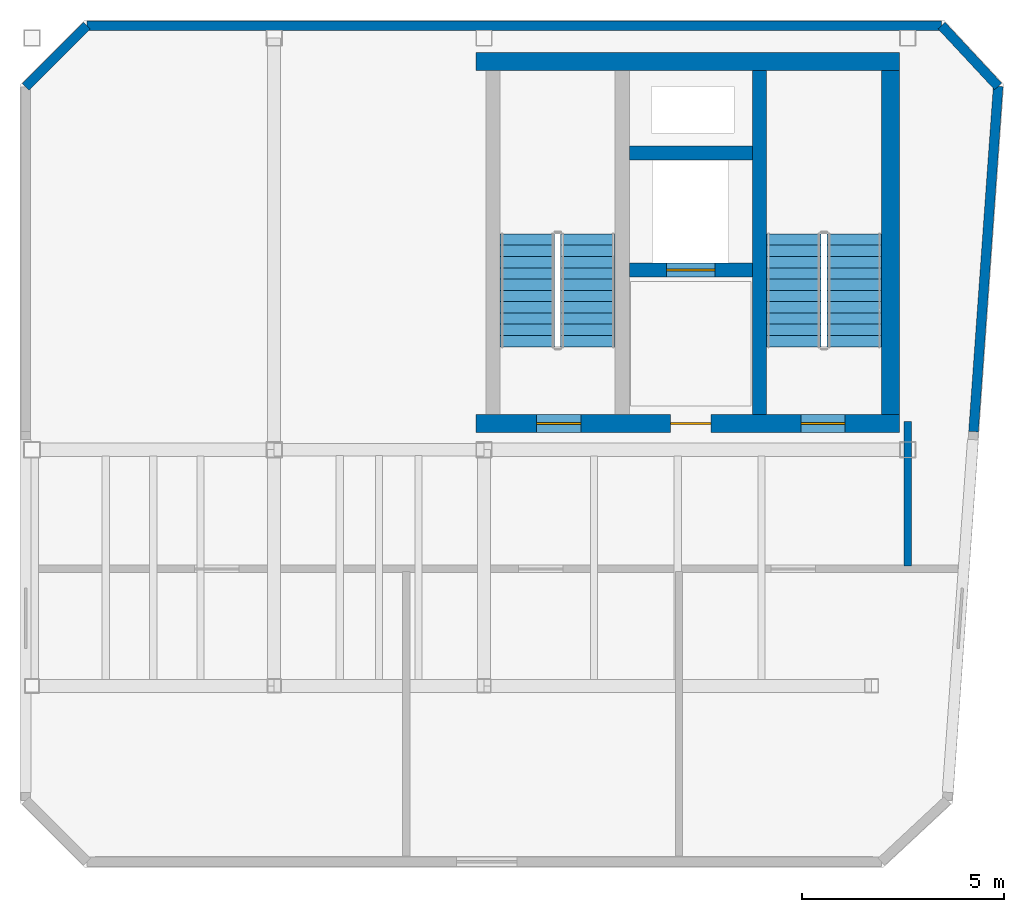
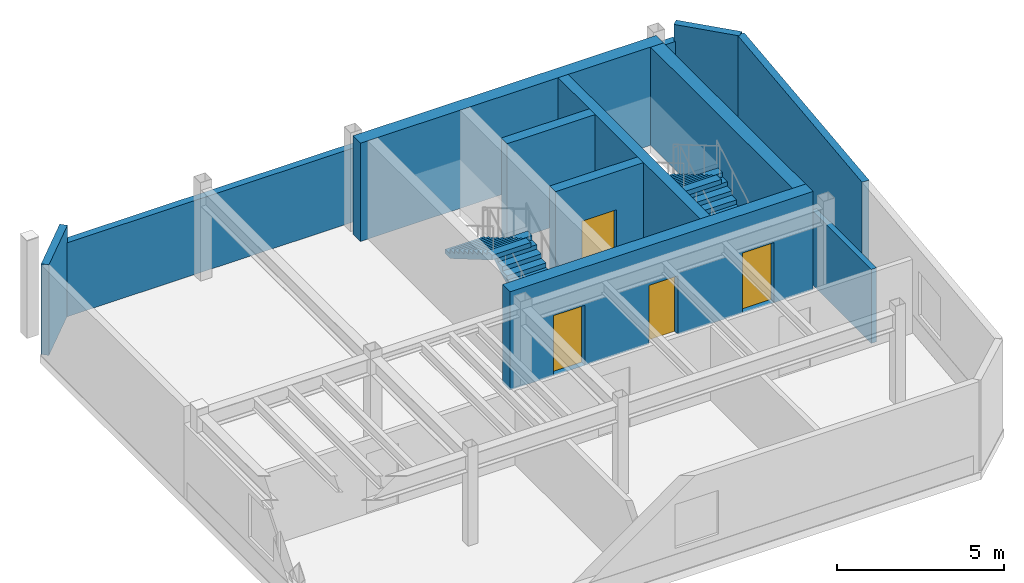
# One storey, part 2 of 3: 11 walls, 4 doors, 4 stair flights, 4 openings, 2 elements without a shape of their own.
"""IFC4 building model written with IfcOpenShell, lengths in metres."""

from ifc_helpers import new_model, si_unit, direction, frame, frame_2d, origin, place, context, subcontext, project, spatial, polyline, rectangle, outline, extrude, material, layer, layer_set, type_object, element, fill, aggregate, save


model = new_model("IFC4")

# Units and contexts
model_context = context("Model", 3, precision=1e-05, world=origin(), true_north=direction((0.0, 1.0)))
body_context = subcontext(model_context, "Body", "Model", "MODEL_VIEW")
ifc_project = project(units=[si_unit("LENGTHUNIT", "METRE"), si_unit("AREAUNIT", "SQUARE_METRE"), si_unit("VOLUMEUNIT", "CUBIC_METRE"), si_unit("PLANEANGLEUNIT", "RADIAN"), si_unit("MASSUNIT", "GRAM", prefix="KILO")], contexts=[model_context])

# Site, building, storey
site_placement = place(None, origin())
site = spatial("IfcSite", under=ifc_project, at=site_placement, CompositionType="ELEMENT")
building_placement = place(site_placement, origin())
building = spatial("IfcBuilding", under=site, at=building_placement, Name="Kravanh Interchange Tower", CompositionType="ELEMENT")
storey_placement = place(building_placement, frame((0.0, 0.0, 319.199951171875)))
storey = spatial("IfcBuildingStorey", under=building, at=storey_placement, Name="L79", CompositionType="ELEMENT", Elevation=319.199951171875)

# Wall
ifc_material_1 = material(Name="Concrete C60/75", Category="concrete")
ifc_layer_1 = layer(ifc_material_1, 0.35009765625)
ifc_layer_set_1 = layer_set([ifc_layer_1], Name="Core Shear Wall Concrete C60/75 350mm")
wall_type_1 = type_object("IfcWallType", Name="Core Shear Wall Concrete C60/75 350mm", PredefinedType="SHEAR", material=ifc_layer_set_1)
wall_1_placement = place(storey_placement, frame((62.824951171875, 38.22509765625, 0.0), z_axis=(0.0, 0.0, 1.0), x_axis=(0.0, 1.0, 0.0)))
element("IfcWall", 1, at=wall_1_placement, inside=storey, type_object=wall_type_1, Name="L79 Stair ST1 West Shear Wall", PredefinedType="SHEAR", context=body_context, shape_type="SweptSolid", body=[
    extrude(rectangle(XDim=8.52490234375, YDim=0.35009765625, at=frame_2d((4.262451171875, 0.0))), origin(), (0.0, 0.0, 1.0), 3.60009765625),
])

# Wall, opening, door
wall_2_placement = place(storey_placement, frame((59.60009765625, 41.800048828125, 0.0), z_axis=(0.0, 0.0, 1.0), x_axis=(1.0, 0.0, 0.0)))
wall_2 = element("IfcWall", 2, at=wall_2_placement, inside=storey, type_object=wall_type_1, Name="L79 Service Lift Shaft South Wall", PredefinedType="SHEAR", context=body_context, shape_type="SweptSolid", body=[
    extrude(rectangle(XDim=3.0498046875, YDim=0.35009765625, at=frame_2d((1.52490234375, 0.0))), origin(), (0.0, 0.0, 1.0), 3.60009765625),
])
opening_1_placement = place(wall_2_placement, frame((0.919921875, 0.0, 0.0)))
opening_1 = element("IfcOpeningElement", 3, at=opening_1_placement, cuts=wall_2, Name="Opening LD02", PredefinedType="OPENING", context=body_context, shape_type="SweptSolid", body=[
    extrude(rectangle(XDim=1.199951171875, YDim=2.199951171875, at=frame_2d((0.60009765625, 1.10009765625))), frame((0.0, 0.18505859375, 0.0), z_axis=(0.0, -1.0, 0.0), x_axis=(1.0, 0.0, 0.0)), (0.0, 0.0, 1.0), 0.3701171875),
])
ifc_material_2 = material(Name="Stainless Steel 316", Category="steel")
door_type_1 = type_object("IfcDoorType", Name="Fire and Service Lift Sliding Landing Door 1200x2200", OperationType="DOUBLE_DOOR_SLIDING", PredefinedType="DOOR", material=ifc_material_2)
door_1_placement = place(opening_1_placement, origin())
door_1 = element("IfcDoor", 4, at=door_1_placement, inside=storey, type_object=door_type_1, Name="L79 Lift LS-01 Landing Door", OperationType="DOUBLE_DOOR_SLIDING", OverallHeight=2.199951171875, OverallWidth=1.199951171875, PredefinedType="DOOR", context=body_context, shape_type="SweptSolid", body=[
    extrude(rectangle(XDim=1.199951171875, YDim=2.199951171875, at=frame_2d((0.60009765625, 1.10009765625))), frame((0.0, 0.02490234375, 0.0), z_axis=(0.0, -1.0, 0.0), x_axis=(1.0, 0.0, 0.0)), (0.0, 0.0, 1.0), 0.050048828125),
])
fill(opening_1, door_1)

# Walls
wall_3_placement = place(storey_placement, frame((59.60009765625, 44.699951171875, 0.0), z_axis=(0.0, 0.0, 1.0), x_axis=(1.0, 0.0, 0.0)))
element("IfcWall", 5, at=wall_3_placement, inside=storey, type_object=wall_type_1, Name="L79 Service Lift Shaft North Wall", PredefinedType="SHEAR", context=body_context, shape_type="SweptSolid", body=[
    extrude(rectangle(XDim=3.0498046875, YDim=0.35009765625, at=frame_2d((1.52490234375, 0.0))), origin(), (0.0, 0.0, 1.0), 3.60009765625),
])
ifc_material_3 = material(Name="Concrete C60/75", Category="concrete")
ifc_layer_2 = layer(ifc_material_3, 0.449951171875)
ifc_layer_set_2 = layer_set([ifc_layer_2], Name="Core Shear Wall Concrete C60/75 450mm")
wall_type_2 = type_object("IfcWallType", Name="Core Shear Wall Concrete C60/75 450mm", PredefinedType="SHEAR", material=ifc_layer_set_2)
wall_4_placement = place(storey_placement, frame((55.800048828125, 46.97509765625, 0.0), z_axis=(0.0, 0.0, 1.0), x_axis=(1.0, 0.0, 0.0)))
element("IfcWall", 6, at=wall_4_placement, inside=storey, type_object=wall_type_2, Name="L79 North Core Shear Wall", PredefinedType="SHEAR", context=body_context, shape_type="SweptSolid", body=[
    extrude(rectangle(XDim=10.5, YDim=0.449951171875, at=frame_2d((5.25, 0.0))), origin(), (0.0, 0.0, 1.0), 3.60009765625),
])

# Wall, openings, doors
wall_5_placement = place(storey_placement, frame((55.800048828125, 38.0, 0.0), z_axis=(0.0, 0.0, 1.0), x_axis=(1.0, 0.0, 0.0)))
wall_5 = element("IfcWall", 7, at=wall_5_placement, inside=storey, type_object=wall_type_2, Name="L79 East Core South Shear Wall", PredefinedType="SHEAR", context=body_context, shape_type="SweptSolid", body=[
    extrude(rectangle(XDim=10.5, YDim=0.449951171875, at=frame_2d((5.25, 0.0))), origin(), (0.0, 0.0, 1.0), 3.60009765625),
])
opening_2_placement = place(wall_5_placement, frame((1.5, 0.0, 0.0)))
opening_2 = element("IfcOpeningElement", 8, at=opening_2_placement, cuts=wall_5, Name="Opening D-STAIR-110", PredefinedType="OPENING", context=body_context, shape_type="SweptSolid", body=[
    extrude(rectangle(XDim=1.10009765625, YDim=2.199951171875, at=frame_2d((0.550048828125, 1.10009765625))), frame((0.0, 0.23486328125, 0.0), z_axis=(0.0, -1.0, 0.0), x_axis=(1.0, 0.0, 0.0)), (0.0, 0.0, 1.0), 0.469970703125),
])
opening_3_placement = place(wall_5_placement, frame((4.820068359375, 0.0, 0.0)))
opening_3 = element("IfcOpeningElement", 9, at=opening_3_placement, cuts=wall_5, Name="Opening D-HOTEL-100", PredefinedType="OPENING", context=body_context, shape_type="SweptSolid", body=[
    extrude(rectangle(XDim=1.0, YDim=2.14990234375, at=frame_2d((0.5, 1.074951171875))), frame((0.0, 0.23486328125, 0.0), z_axis=(0.0, -1.0, 0.0), x_axis=(1.0, 0.0, 0.0)), (0.0, 0.0, 1.0), 0.469970703125),
])
opening_4_placement = place(wall_5_placement, frame((8.050048828125, 0.0, 0.0)))
opening_4 = element("IfcOpeningElement", 10, at=opening_4_placement, cuts=wall_5, Name="Opening D-STAIR-110", PredefinedType="OPENING", context=body_context, shape_type="SweptSolid", body=[
    extrude(rectangle(XDim=1.10009765625, YDim=2.199951171875, at=frame_2d((0.550048828125, 1.10009765625))), frame((0.0, 0.23486328125, 0.0), z_axis=(0.0, -1.0, 0.0), x_axis=(1.0, 0.0, 0.0)), (0.0, 0.0, 1.0), 0.469970703125),
])
ifc_material_4 = material(Name="Structural Steel S355", Category="steel")
door_type_2 = type_object("IfcDoorType", Name="Fire-Rated Exit Stair Door 1100x2200", OperationType="NOTDEFINED", PredefinedType="DOOR", material=ifc_material_4)
door_2_placement = place(opening_2_placement, origin())
door_2 = element("IfcDoor", 11, at=door_2_placement, inside=storey, type_object=door_type_2, Name="L79 Exit Stair ST2 Door", OperationType="SINGLE_SWING_RIGHT", OverallHeight=2.199951171875, OverallWidth=1.10009765625, PredefinedType="DOOR", context=body_context, shape_type="SweptSolid", body=[
    extrude(rectangle(XDim=1.10009765625, YDim=2.199951171875, at=frame_2d((0.550048828125, 1.10009765625))), frame((0.0, 0.02490234375, 0.0), z_axis=(0.0, -1.0, 0.0), x_axis=(1.0, 0.0, 0.0)), (0.0, 0.0, 1.0), 0.050048828125),
])
fill(opening_2, door_2)
door_3_placement = place(opening_4_placement, origin())
door_3 = element("IfcDoor", 12, at=door_3_placement, inside=storey, type_object=door_type_2, Name="L79 Exit Stair ST1 Door", OperationType="SINGLE_SWING_RIGHT", OverallHeight=2.199951171875, OverallWidth=1.10009765625, PredefinedType="DOOR", context=body_context, shape_type="SweptSolid", body=[
    extrude(rectangle(XDim=1.10009765625, YDim=2.199951171875, at=frame_2d((0.550048828125, 1.10009765625))), frame((0.0, 0.02490234375, 0.0), z_axis=(0.0, -1.0, 0.0), x_axis=(1.0, 0.0, 0.0)), (0.0, 0.0, 1.0), 0.050048828125),
])
fill(opening_4, door_3)
ifc_material_5 = material(Name="Fire-Rated Solid Timber Leaf", Category="wood")
door_type_3 = type_object("IfcDoorType", Name="Fire-Rated Suite Entrance Door 1000x2150", OperationType="NOTDEFINED", PredefinedType="DOOR", material=ifc_material_5)
door_4_placement = place(opening_3_placement, origin())
door_4 = element("IfcDoor", 13, at=door_4_placement, inside=storey, type_object=door_type_3, Name="L79 Service Lift Lobby Door", OperationType="SINGLE_SWING_RIGHT", OverallHeight=2.14990234375, OverallWidth=1.0, PredefinedType="DOOR", context=body_context, shape_type="SweptSolid", body=[
    extrude(rectangle(XDim=1.0, YDim=2.14990234375, at=frame_2d((0.5, 1.074951171875))), frame((0.0, 0.02490234375, 0.0), z_axis=(0.0, -1.0, 0.0), x_axis=(1.0, 0.0, 0.0)), (0.0, 0.0, 1.0), 0.050048828125),
])
fill(opening_3, door_4)

# Walls
wall_6_placement = place(storey_placement, frame((66.074951171875, 38.22509765625, 0.0), z_axis=(0.0, 0.0, 1.0), x_axis=(0.0, 1.0, 0.0)))
element("IfcWall", 14, at=wall_6_placement, inside=storey, type_object=wall_type_2, Name="L79 Stair ST1 East Shear Wall", PredefinedType="SHEAR", context=body_context, shape_type="SweptSolid", body=[
    extrude(rectangle(XDim=8.52490234375, YDim=0.449951171875, at=frame_2d((4.262451171875, 0.0))), origin(), (0.0, 0.0, 1.0), 3.60009765625),
])
ifc_material_6 = material(Name="Insulated Concrete C40/50 with Bronze Rainscreen", Category="concrete")
ifc_layer_3 = layer(ifc_material_6, 0.239990234375)
ifc_layer_set_3 = layer_set([ifc_layer_3], Name="Exterior Insulated Concrete C40/50 Crown Enclosure Wall 240mm")
wall_type_3 = type_object("IfcWallType", Name="Exterior Insulated Concrete C40/50 Crown Enclosure Wall 240mm", PredefinedType="STANDARD", material=ifc_layer_set_3)
wall_7_placement = place(storey_placement, frame((44.639892578125, 46.342041015625, 0.0), z_axis=(0.0, 0.0, 1.0), x_axis=(0.707106781187, 0.707106781187, 0.0)))
element("IfcWall", 15, at=wall_7_placement, inside=storey, type_object=wall_type_3, Name="L79 Exterior Enclosure Wall 3", PredefinedType="STANDARD", context=body_context, shape_type="SweptSolid", body=[
    extrude(rectangle(XDim=2.14697265625, YDim=0.239990234375, at=frame_2d((1.073486328125, 0.0))), origin(), (0.0, 0.0, 1.0), 3.320068359375),
])
wall_8_placement = place(storey_placement, frame((46.157958984375, 47.860107421875, 0.0), z_axis=(0.0, 0.0, 1.0), x_axis=(1.0, 0.0, 0.0)))
element("IfcWall", 16, at=wall_8_placement, inside=storey, type_object=wall_type_3, Name="L79 Exterior Enclosure Wall 4", PredefinedType="STANDARD", context=body_context, shape_type="SweptSolid", body=[
    extrude(rectangle(XDim=21.18115234375, YDim=0.239990234375, at=frame_2d((10.590576171875, 0.0))), origin(), (0.0, 0.0, 1.0), 2.708984375),
])
wall_9_placement = place(storey_placement, frame((67.339111328125, 47.860107421875, 0.0), z_axis=(0.0, 0.0, 1.0), x_axis=(0.681396623146, -0.731914367918, 0.0)))
element("IfcWall", 17, at=wall_9_placement, inside=storey, type_object=wall_type_3, Name="L79 Exterior Enclosure Wall 5", PredefinedType="STANDARD", context=body_context, shape_type="SweptSolid", body=[
    extrude(rectangle(XDim=2.058837890625, YDim=0.239990234375, at=frame_2d((1.029296875, 0.0))), origin(), (0.0, 0.0, 1.0), 3.320068359375),
])
wall_10_placement = place(storey_placement, frame((68.741943359375, 46.353271484375, 0.0), z_axis=(0.0, 0.0, 1.0), x_axis=(-0.071234909984, -0.9974595669, 0.0)))
element("IfcWall", 18, at=wall_10_placement, inside=storey, type_object=wall_type_3, Name="L79 Exterior Enclosure Wall 6", PredefinedType="STANDARD", context=body_context, shape_type="SweptSolid", body=[
    extrude(rectangle(XDim=8.574951171875, YDim=0.239990234375, at=frame_2d((4.28759765625, 0.0))), origin(), (0.0, 0.0, 1.0), 3.320068359375),
])
ifc_material_7 = material(Name="Autoclaved Aerated Concrete C30/37 Blockwork", Category="masonry")
ifc_layer_4 = layer(ifc_material_7, 0.179931640625)
ifc_layer_set_4 = layer_set([ifc_layer_4], Name="Fire-Rated Lobby and Corridor Wall Concrete C30/37 180mm")
wall_type_4 = type_object("IfcWallType", Name="Fire-Rated Lobby and Corridor Wall Concrete C30/37 180mm", PredefinedType="STANDARD", material=ifc_layer_set_4)
wall_11_placement = place(storey_placement, frame((66.5, 34.468017578125, 0.0), z_axis=(0.0, 0.0, 1.0), x_axis=(0.0, 1.0, 0.0)))
element("IfcWall", 19, at=wall_11_placement, inside=storey, type_object=wall_type_4, Name="L79 Interior Partition 2", PredefinedType="STANDARD", context=body_context, shape_type="SweptSolid", body=[
    extrude(rectangle(XDim=3.58203125, YDim=0.179931640625, at=frame_2d((1.791015625, 0.0))), origin(), (0.0, 0.0, 1.0), 2.708984375),
])

# Stair, stair flights
ifc_material_8 = material(Name="Concrete C50/60", Category="concrete")
stair_type = type_object("IfcStairType", Name="Core Fire Exit Dogleg Stair Concrete C50/60", PredefinedType="HALF_TURN_STAIR", material=ifc_material_8)
stair_1_placement = place(storey_placement, origin())
stair_1 = element("IfcStair", 20, at=stair_1_placement, inside=storey, type_object=stair_type, Name="L79 Exit Stair ST1", PredefinedType="HALF_TURN_STAIR")
ifc_material_9 = material(Name="Precast Concrete C50/60", Category="concrete")
ifc_layer_5 = layer(ifc_material_9, 0.199951171875)
ifc_layer_set_5 = layer_set([ifc_layer_5], Name="Precast Concrete C50/60 Stair Flight 1350mm")
stair_flight_type = type_object("IfcStairFlightType", Name="Precast Concrete C50/60 Stair Flight 1350mm", PredefinedType="STRAIGHT", material=ifc_layer_set_5)
stair_flight_1_placement = place(storey_placement, frame((65.175048828125, 39.89990234375, 0.0), z_axis=(0.0, 0.0, 1.0), x_axis=(0.0, 1.0, 0.0)))
stair_flight_1 = element("IfcStairFlight", 21, at=stair_flight_1_placement, type_object=stair_flight_type, Name="ST1 flight 1", NumberOfRisers=11, NumberOfTreads=10, PredefinedType="STRAIGHT", RiserHeight=0.163636364, TreadLength=0.28, context=body_context, shape_type="SweptSolid", body=[
    extrude(outline(polyline([(0.0, 0.0), (0.0, 0.16357421875), (0.280029296875, 0.16357421875), (0.280029296875, 0.327392578125), (0.56005859375, 0.327392578125), (0.56005859375, 0.490966796875), (0.840087890625, 0.490966796875), (0.840087890625, 0.654541015625), (1.1201171875, 0.654541015625), (1.1201171875, 0.818115234375), (1.39990234375, 0.818115234375), (1.39990234375, 0.98193359375), (1.679931640625, 0.98193359375), (1.679931640625, 1.1455078125), (1.9599609375, 1.1455078125), (1.9599609375, 1.30908203125), (2.239990234375, 1.30908203125), (2.239990234375, 1.47265625), (2.52001953125, 1.47265625), (2.52001953125, 1.636474609375), (2.800048828125, 1.636474609375), (2.800048828125, 1.800048828125), (2.800048828125, 1.462646484375), (0.297119140625, 0.0), (0.0, 0.0)])), frame((0.0, 0.675048828125, 0.0), z_axis=(0.0, -1.0, 0.0), x_axis=(1.0, 0.0, 0.0)), (0.0, 0.0, 1.0), 1.35009765625),
])
stair_flight_2_placement = place(storey_placement, frame((63.675048828125, 42.699951171875, 1.800048828125), z_axis=(0.0, 0.0, 1.0), x_axis=(0.0, -1.0, 0.0)))
stair_flight_2 = element("IfcStairFlight", 22, at=stair_flight_2_placement, type_object=stair_flight_type, Name="ST1 flight 2", NumberOfRisers=11, NumberOfTreads=10, PredefinedType="STRAIGHT", RiserHeight=0.163636364, TreadLength=0.28, context=body_context, shape_type="SweptSolid", body=[
    extrude(outline(polyline([(0.0, 0.0), (0.0, 0.16357421875), (0.280029296875, 0.16357421875), (0.280029296875, 0.327392578125), (0.56005859375, 0.327392578125), (0.56005859375, 0.490966796875), (0.840087890625, 0.490966796875), (0.840087890625, 0.654541015625), (1.1201171875, 0.654541015625), (1.1201171875, 0.818115234375), (1.39990234375, 0.818115234375), (1.39990234375, 0.98193359375), (1.679931640625, 0.98193359375), (1.679931640625, 1.1455078125), (1.9599609375, 1.1455078125), (1.9599609375, 1.30908203125), (2.239990234375, 1.30908203125), (2.239990234375, 1.47265625), (2.52001953125, 1.47265625), (2.52001953125, 1.636474609375), (2.800048828125, 1.636474609375), (2.800048828125, 1.800048828125), (2.800048828125, 1.462646484375), (0.297119140625, 0.0), (0.0, 0.0)])), frame((0.0, 0.675048828125, 0.0), z_axis=(0.0, -1.0, 0.0), x_axis=(1.0, 0.0, 0.0)), (0.0, 0.0, 1.0), 1.35009765625),
])
aggregate(stair_1, [stair_flight_1, stair_flight_2])

stair_2_placement = place(storey_placement, origin())
stair_2 = element("IfcStair", 23, at=stair_2_placement, inside=storey, type_object=stair_type, Name="L79 Exit Stair ST2", PredefinedType="HALF_TURN_STAIR")
stair_flight_3_placement = place(storey_placement, frame((58.574951171875, 39.89990234375, 0.0), z_axis=(0.0, 0.0, 1.0), x_axis=(0.0, 1.0, 0.0)))
stair_flight_3 = element("IfcStairFlight", 24, at=stair_flight_3_placement, type_object=stair_flight_type, Name="ST2 flight 1", NumberOfRisers=11, NumberOfTreads=10, PredefinedType="STRAIGHT", RiserHeight=0.163636364, TreadLength=0.28, context=body_context, shape_type="SweptSolid", body=[
    extrude(outline(polyline([(0.0, 0.0), (0.0, 0.16357421875), (0.280029296875, 0.16357421875), (0.280029296875, 0.327392578125), (0.56005859375, 0.327392578125), (0.56005859375, 0.490966796875), (0.840087890625, 0.490966796875), (0.840087890625, 0.654541015625), (1.1201171875, 0.654541015625), (1.1201171875, 0.818115234375), (1.39990234375, 0.818115234375), (1.39990234375, 0.98193359375), (1.679931640625, 0.98193359375), (1.679931640625, 1.1455078125), (1.9599609375, 1.1455078125), (1.9599609375, 1.30908203125), (2.239990234375, 1.30908203125), (2.239990234375, 1.47265625), (2.52001953125, 1.47265625), (2.52001953125, 1.636474609375), (2.800048828125, 1.636474609375), (2.800048828125, 1.800048828125), (2.800048828125, 1.462646484375), (0.297119140625, 0.0), (0.0, 0.0)])), frame((0.0, 0.675048828125, 0.0), z_axis=(0.0, -1.0, 0.0), x_axis=(1.0, 0.0, 0.0)), (0.0, 0.0, 1.0), 1.35009765625),
])
stair_flight_4_placement = place(storey_placement, frame((57.074951171875, 42.699951171875, 1.800048828125), z_axis=(0.0, 0.0, 1.0), x_axis=(0.0, -1.0, 0.0)))
stair_flight_4 = element("IfcStairFlight", 25, at=stair_flight_4_placement, type_object=stair_flight_type, Name="ST2 flight 2", NumberOfRisers=11, NumberOfTreads=10, PredefinedType="STRAIGHT", RiserHeight=0.163636364, TreadLength=0.28, context=body_context, shape_type="SweptSolid", body=[
    extrude(outline(polyline([(0.0, 0.0), (0.0, 0.16357421875), (0.280029296875, 0.16357421875), (0.280029296875, 0.327392578125), (0.56005859375, 0.327392578125), (0.56005859375, 0.490966796875), (0.840087890625, 0.490966796875), (0.840087890625, 0.654541015625), (1.1201171875, 0.654541015625), (1.1201171875, 0.818115234375), (1.39990234375, 0.818115234375), (1.39990234375, 0.98193359375), (1.679931640625, 0.98193359375), (1.679931640625, 1.1455078125), (1.9599609375, 1.1455078125), (1.9599609375, 1.30908203125), (2.239990234375, 1.30908203125), (2.239990234375, 1.47265625), (2.52001953125, 1.47265625), (2.52001953125, 1.636474609375), (2.800048828125, 1.636474609375), (2.800048828125, 1.800048828125), (2.800048828125, 1.462646484375), (0.297119140625, 0.0), (0.0, 0.0)])), frame((0.0, 0.675048828125, 0.0), z_axis=(0.0, -1.0, 0.0), x_axis=(1.0, 0.0, 0.0)), (0.0, 0.0, 1.0), 1.35009765625),
])
aggregate(stair_2, [stair_flight_3, stair_flight_4])

save(model, "model.ifc")
